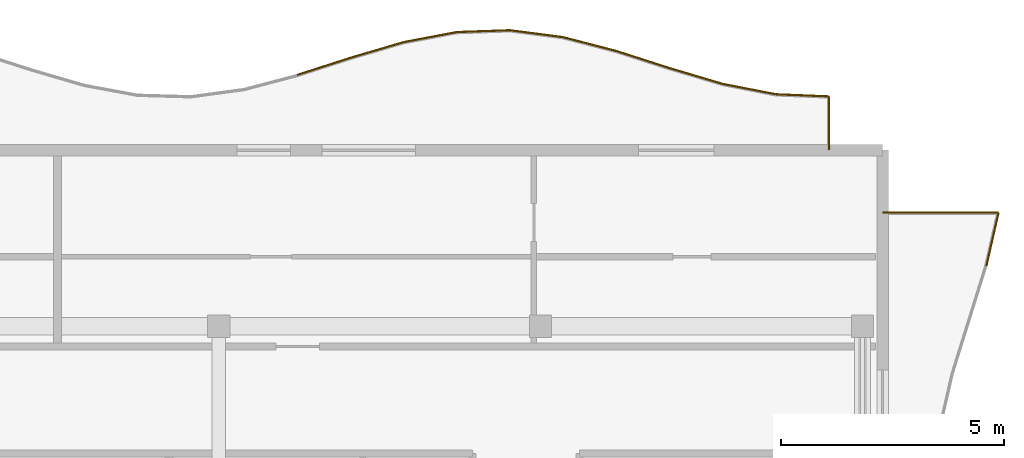
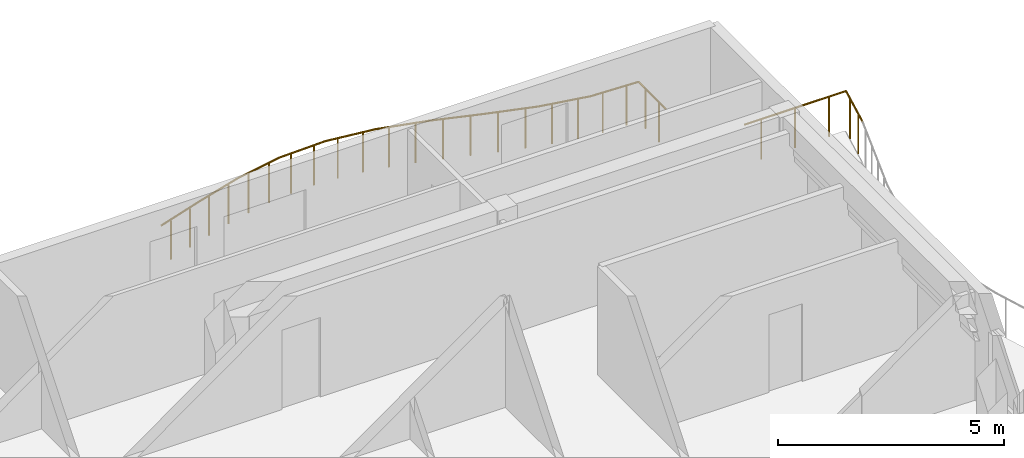
# One storey, part 30 of 30: 13 railings.
"""IFC4 building model written with IfcOpenShell, lengths in metres."""

from ifc_helpers import new_model, si_unit, direction, frame, origin, origin_2d, place, context, subcontext, project, spatial, circle, extrude, material, type_object, element, save


model = new_model("IFC4")

# Units and contexts
model_context = context("Model", 3, precision=1e-05, world=origin(), true_north=direction((0.0, 1.0)))
body_context = subcontext(model_context, "Body", "Model", "MODEL_VIEW")
ifc_project = project(units=[si_unit("LENGTHUNIT", "METRE"), si_unit("AREAUNIT", "SQUARE_METRE"), si_unit("VOLUMEUNIT", "CUBIC_METRE"), si_unit("PLANEANGLEUNIT", "RADIAN"), si_unit("MASSUNIT", "GRAM", prefix="KILO")], contexts=[model_context])

# Site, building, storey
site_placement = place(None, origin())
site = spatial("IfcSite", under=ifc_project, at=site_placement, CompositionType="ELEMENT")
building_placement = place(site_placement, origin())
building = spatial("IfcBuilding", under=site, at=building_placement, Name="Keldmere Railside Commons", CompositionType="ELEMENT")
storey_placement = place(building_placement, frame((0.0, 0.0, 36.159912109375)))
storey = spatial("IfcBuildingStorey", under=building, at=storey_placement, Name="L11", CompositionType="ELEMENT", Elevation=36.159912109375)

# Railings
ifc_material = material(Name="Steel F-24 (S235)", Category="steel")
railing_type = type_object("IfcRailingType", Name="Balcony & Terrace Steel Balustrade 1100", PredefinedType="BALUSTRADE", material=ifc_material)
railing_1_placement = place(storey_placement, frame((170.868896484375, 115.287109375, 0.0)))
element("IfcRailing", 1, at=railing_1_placement, inside=storey, type_object=railing_type, Name="GR-1 GRD-L11-4454", PredefinedType="BALUSTRADE", context=body_context, shape_type="SweptSolid", body=[
    extrude(circle(Radius=0.02392578125, at=origin_2d()), frame((0.0, 0.0, 1.076171875), z_axis=(0.951904858272, 0.306393767559, 0.0), x_axis=(-0.306393767559, 0.951904858272, 0.0)), (0.0, 0.0, 1.0), 1.25341796875),
    extrude(circle(Radius=0.02099609375, at=origin_2d()), frame((0.29833984375, 0.095947265625, 0.0)), (0.0, 0.0, 1.0), 1.048095703125),
    extrude(circle(Radius=0.02099609375, at=origin_2d()), frame((0.894775390625, 0.2880859375, 0.0)), (0.0, 0.0, 1.0), 1.048095703125),
])
railing_2_placement = place(storey_placement, frame((172.06201171875, 115.671142578125, 0.0)))
element("IfcRailing", 2, at=railing_2_placement, inside=storey, type_object=railing_type, Name="GR-1 GRD-L11-4455", PredefinedType="BALUSTRADE", context=body_context, shape_type="SweptSolid", body=[
    extrude(circle(Radius=0.02392578125, at=origin_2d()), frame((0.0, 0.0, 1.076171875), z_axis=(0.959118247887, 0.283005629927, 0.0), x_axis=(-0.283005629927, 0.959118247887, 0.0)), (0.0, 0.0, 1.0), 1.243896484375),
    extrude(circle(Radius=0.02099609375, at=origin_2d()), frame((0.29833984375, 0.087890625, 0.0)), (0.0, 0.0, 1.0), 1.048095703125),
    extrude(circle(Radius=0.02099609375, at=origin_2d()), frame((0.894775390625, 0.26416015625, 0.0)), (0.0, 0.0, 1.0), 1.048095703125),
])
railing_3_placement = place(storey_placement, frame((173.255126953125, 116.023193359375, 0.0)))
element("IfcRailing", 3, at=railing_3_placement, inside=storey, type_object=railing_type, Name="GR-1 GRD-L11-4456", PredefinedType="BALUSTRADE", context=body_context, shape_type="SweptSolid", body=[
    extrude(circle(Radius=0.02392578125, at=origin_2d()), frame((0.0, 0.0, 1.076171875), z_axis=(0.982407121444, 0.186751834627, 0.0), x_axis=(-0.186751834627, 0.982407121444, 0.0)), (0.0, 0.0, 1.0), 1.214599609375),
    extrude(circle(Radius=0.02099609375, at=origin_2d()), frame((0.29833984375, 0.056640625, 0.0)), (0.0, 0.0, 1.0), 1.048095703125),
    extrude(circle(Radius=0.02099609375, at=origin_2d()), frame((0.894775390625, 0.170166015625, 0.0)), (0.0, 0.0, 1.0), 1.048095703125),
])
railing_4_placement = place(storey_placement, frame((174.4482421875, 116.25, 0.0)))
element("IfcRailing", 4, at=railing_4_placement, inside=storey, type_object=railing_type, Name="GR-1 GRD-L11-4457", PredefinedType="BALUSTRADE", context=body_context, shape_type="SweptSolid", body=[
    extrude(circle(Radius=0.02392578125, at=origin_2d()), frame((0.0, 0.0, 1.076171875), z_axis=(0.999402594214, 0.034560883655, 0.0), x_axis=(-0.034560883655, 0.999402594214, 0.0)), (0.0, 0.0, 1.0), 1.19384765625),
    extrude(circle(Radius=0.02099609375, at=origin_2d()), frame((0.29833984375, 0.01025390625, 0.0)), (0.0, 0.0, 1.0), 1.048095703125),
    extrude(circle(Radius=0.02099609375, at=origin_2d()), frame((0.894775390625, 0.031005859375, 0.0)), (0.0, 0.0, 1.0), 1.048095703125),
])
railing_5_placement = place(storey_placement, frame((175.641357421875, 116.291259765625, 0.0)))
element("IfcRailing", 5, at=railing_5_placement, inside=storey, type_object=railing_type, Name="GR-1 GRD-L11-4458", PredefinedType="BALUSTRADE", context=body_context, shape_type="SweptSolid", body=[
    extrude(circle(Radius=0.02392578125, at=origin_2d()), frame((0.0, 0.0, 1.076171875), z_axis=(0.991637708945, -0.129052912398, 0.0), x_axis=(0.129052912398, 0.991637708945, 0.0)), (0.0, 0.0, 1.0), 1.203125),
    extrude(circle(Radius=0.02099609375, at=origin_2d()), frame((0.29833984375, -0.038818359375, 0.0)), (0.0, 0.0, 1.0), 1.048095703125),
    extrude(circle(Radius=0.02099609375, at=origin_2d()), frame((0.894775390625, -0.116455078125, 0.0)), (0.0, 0.0, 1.0), 1.048095703125),
])
railing_6_placement = place(storey_placement, frame((176.83447265625, 116.135986328125, 0.0)))
element("IfcRailing", 6, at=railing_6_placement, inside=storey, type_object=railing_type, Name="GR-1 GRD-L11-4459", PredefinedType="BALUSTRADE", context=body_context, shape_type="SweptSolid", body=[
    extrude(circle(Radius=0.02392578125, at=origin_2d()), frame((0.0, 0.0, 1.076171875), z_axis=(0.96780417713, -0.251704339909, 0.0), x_axis=(0.251704339909, 0.96780417713, 0.0)), (0.0, 0.0, 1.0), 1.23291015625),
    extrude(circle(Radius=0.02099609375, at=origin_2d()), frame((0.29833984375, -0.07763671875, 0.0)), (0.0, 0.0, 1.0), 1.048095703125),
    extrude(circle(Radius=0.02099609375, at=origin_2d()), frame((0.894775390625, -0.232666015625, 0.0)), (0.0, 0.0, 1.0), 1.048095703125),
])
railing_7_placement = place(storey_placement, frame((178.027587890625, 115.82568359375, 0.0)))
element("IfcRailing", 7, at=railing_7_placement, inside=storey, type_object=railing_type, Name="GR-1 GRD-L11-4460", PredefinedType="BALUSTRADE", context=body_context, shape_type="SweptSolid", body=[
    extrude(circle(Radius=0.02392578125, at=origin_2d()), frame((0.0, 0.0, 1.076171875), z_axis=(0.952018426331, -0.30604070959, 0.0), x_axis=(0.30604070959, 0.952018426331, 0.0)), (0.0, 0.0, 1.0), 1.253173828125),
    extrude(circle(Radius=0.02099609375, at=origin_2d()), frame((0.29833984375, -0.095947265625, 0.0)), (0.0, 0.0, 1.0), 1.048095703125),
    extrude(circle(Radius=0.02099609375, at=origin_2d()), frame((0.894775390625, -0.28759765625, 0.0)), (0.0, 0.0, 1.0), 1.048095703125),
])
railing_8_placement = place(storey_placement, frame((179.220703125, 115.442138671875, 0.0)))
element("IfcRailing", 8, at=railing_8_placement, inside=storey, type_object=railing_type, Name="GR-1 GRD-L11-4461", PredefinedType="BALUSTRADE", context=body_context, shape_type="SweptSolid", body=[
    extrude(circle(Radius=0.02392578125, at=origin_2d()), frame((0.0, 0.0, 1.076171875), z_axis=(0.958530564061, -0.284989750272, 0.0), x_axis=(0.284989750272, 0.958530564061, 0.0)), (0.0, 0.0, 1.0), 1.24462890625),
    extrude(circle(Radius=0.02099609375, at=origin_2d()), frame((0.29833984375, -0.088623046875, 0.0)), (0.0, 0.0, 1.0), 1.048095703125),
    extrude(circle(Radius=0.02099609375, at=origin_2d()), frame((0.894775390625, -0.26611328125, 0.0)), (0.0, 0.0, 1.0), 1.048095703125),
])
railing_9_placement = place(storey_placement, frame((180.413818359375, 115.08740234375, 0.0)))
element("IfcRailing", 9, at=railing_9_placement, inside=storey, type_object=railing_type, Name="GR-1 GRD-L11-4462", PredefinedType="BALUSTRADE", context=body_context, shape_type="SweptSolid", body=[
    extrude(circle(Radius=0.02392578125, at=origin_2d()), frame((0.0, 0.0, 1.076171875), z_axis=(0.981549476635, -0.191208328577, 0.0), x_axis=(0.191208328577, 0.981549476635, 0.0)), (0.0, 0.0, 1.0), 1.215576171875),
    extrude(circle(Radius=0.02099609375, at=origin_2d()), frame((0.29833984375, -0.05810546875, 0.0)), (0.0, 0.0, 1.0), 1.048095703125),
    extrude(circle(Radius=0.02099609375, at=origin_2d()), frame((0.894775390625, -0.17431640625, 0.0)), (0.0, 0.0, 1.0), 1.048095703125),
])
railing_10_placement = place(storey_placement, frame((181.60693359375, 114.85498046875, 0.0)))
element("IfcRailing", 10, at=railing_10_placement, inside=storey, type_object=railing_type, Name="GR-1 GRD-L11-4463", PredefinedType="BALUSTRADE", context=body_context, shape_type="SweptSolid", body=[
    extrude(circle(Radius=0.02392578125, at=origin_2d()), frame((0.0, 0.0, 1.076171875), z_axis=(0.99918849933, -0.040278316834, 0.0), x_axis=(0.040278316834, 0.99918849933, 0.0)), (0.0, 0.0, 1.0), 1.194091796875),
    extrude(circle(Radius=0.02099609375, at=origin_2d()), frame((0.29833984375, -0.011962890625, 0.0)), (0.0, 0.0, 1.0), 1.048095703125),
    extrude(circle(Radius=0.02099609375, at=origin_2d()), frame((0.894775390625, -0.0361328125, 0.0)), (0.0, 0.0, 1.0), 1.048095703125),
])
railing_11_placement = place(storey_placement, frame((182.800048828125, 114.806884765625, 0.0)))
element("IfcRailing", 11, at=railing_11_placement, inside=storey, type_object=railing_type, Name="GR-1 GRD-L11-4464", PredefinedType="BALUSTRADE", context=body_context, shape_type="SweptSolid", body=[
    extrude(circle(Radius=0.02392578125, at=origin_2d()), frame((0.0, 0.0, 1.076171875), z_axis=(0.0, -1.0, 0.0), x_axis=(1.0, 0.0, 0.0)), (0.0, 0.0, 1.0), 1.206787109375),
    extrude(circle(Radius=0.02099609375, at=origin_2d()), frame((0.0, -0.3017578125, 0.0)), (0.0, 0.0, 1.0), 1.048095703125),
    extrude(circle(Radius=0.02099609375, at=origin_2d()), frame((0.0, -0.905029296875, 0.0)), (0.0, 0.0, 1.0), 1.048095703125),
])
railing_12_placement = place(storey_placement, frame((186.327880859375, 111.0, 0.0)))
element("IfcRailing", 12, at=railing_12_placement, inside=storey, type_object=railing_type, Name="GR-1 GRD-L11-4528", PredefinedType="BALUSTRADE", context=body_context, shape_type="SweptSolid", body=[
    extrude(circle(Radius=0.02392578125, at=origin_2d()), frame((0.0, 0.0, 1.076171875), z_axis=(0.222178384067, 0.97500603365, 0.0), x_axis=(-0.97500603365, 0.222178384067, 0.0)), (0.0, 0.0, 1.0), 1.230712890625),
    extrude(circle(Radius=0.02099609375, at=origin_2d()), frame((0.068359375, 0.300048828125, 0.0)), (0.0, 0.0, 1.0), 1.048095703125),
    extrude(circle(Radius=0.02099609375, at=origin_2d()), frame((0.205078125, 0.89990234375, 0.0)), (0.0, 0.0, 1.0), 1.048095703125),
])
railing_13_placement = place(storey_placement, frame((186.601318359375, 112.199951171875, 0.0)))
element("IfcRailing", 13, at=railing_13_placement, inside=storey, type_object=railing_type, Name="GR-1 GRD-L11-4529", PredefinedType="BALUSTRADE", context=body_context, shape_type="SweptSolid", body=[
    extrude(circle(Radius=0.02392578125, at=origin_2d()), frame((0.0, 0.0, 1.076171875), z_axis=(-1.0, 0.0, 0.0), x_axis=(0.0, -1.0, 0.0)), (0.0, 0.0, 1.0), 2.601318359375),
    extrude(circle(Radius=0.02099609375, at=origin_2d()), frame((-0.43359375, 0.0, 0.0)), (0.0, 0.0, 1.0), 1.048095703125),
    extrude(circle(Radius=0.02099609375, at=origin_2d()), frame((-1.30078125, 0.0, 0.0)), (0.0, 0.0, 1.0), 1.048095703125),
    extrude(circle(Radius=0.02099609375, at=origin_2d()), frame((-2.167724609375, 0.0, 0.0)), (0.0, 0.0, 1.0), 1.048095703125),
])

save(model, "model.ifc")
